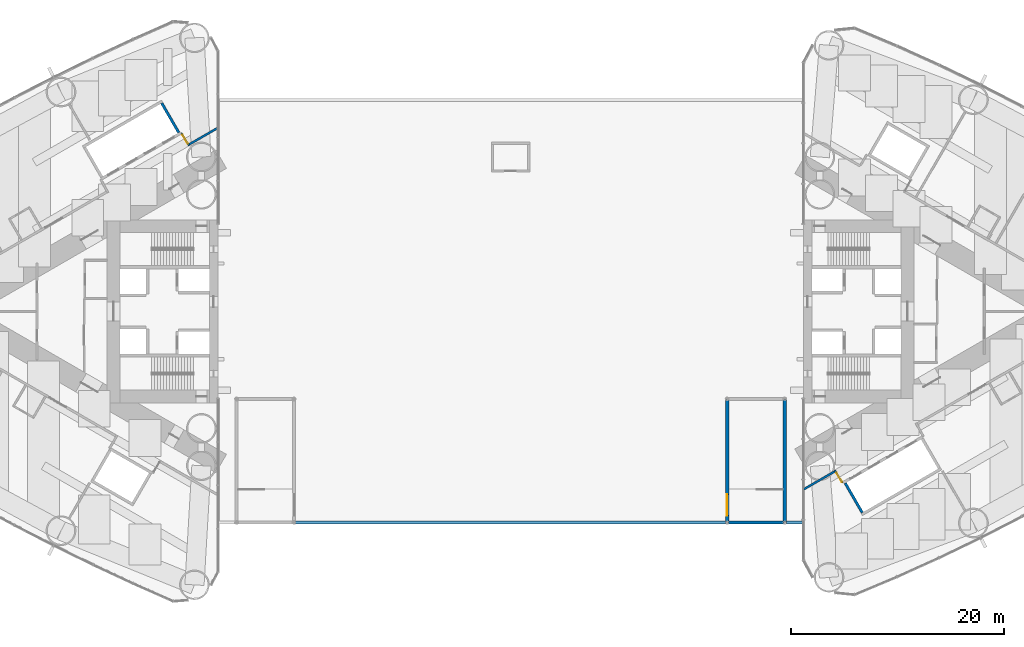
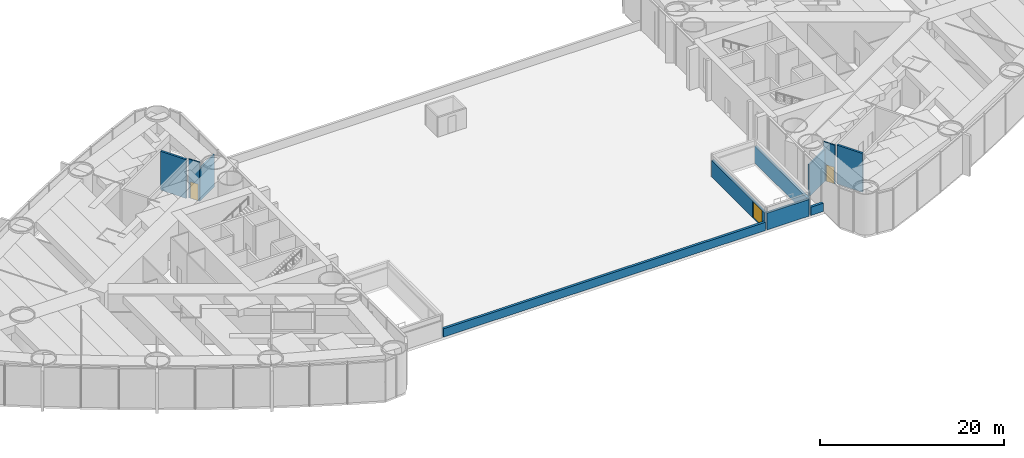
# One storey, part 18 of 23: 11 walls, 3 doors, 3 openings.
"""IFC4 building model written with IfcOpenShell, lengths in metres."""

from ifc_helpers import new_model, si_unit, direction, frame, frame_2d, origin, place, context, subcontext, project, spatial, rectangle, extrude, material, layer, layer_set, type_object, element, fill, save


model = new_model("IFC4")

# Units and contexts
model_context = context("Model", 3, precision=1e-05, world=origin(), true_north=direction((0.0, 1.0)))
body_context = subcontext(model_context, "Body", "Model", "MODEL_VIEW")
ifc_project = project(units=[si_unit("LENGTHUNIT", "METRE"), si_unit("AREAUNIT", "SQUARE_METRE"), si_unit("VOLUMEUNIT", "CUBIC_METRE"), si_unit("PLANEANGLEUNIT", "RADIAN"), si_unit("MASSUNIT", "GRAM", prefix="KILO")], contexts=[model_context])

# Site, building, storey
site_placement = place(None, origin())
site = spatial("IfcSite", under=ifc_project, at=site_placement, CompositionType="ELEMENT")
building_placement = place(site_placement, origin())
building = spatial("IfcBuilding", under=site, at=building_placement, Name="Lancet Gate Hotel", CompositionType="ELEMENT")
storey_placement = place(building_placement, frame((0.0, 0.0, 12.60009765625)))
storey = spatial("IfcBuildingStorey", under=building, at=storey_placement, Name="L02", CompositionType="ELEMENT", Elevation=12.60009765625)

# Walls
ifc_material_1 = material(Name="Gypsum board partition")
ifc_layer_1 = layer(ifc_material_1, 0.199951171875)
ifc_layer_set_1 = layer_set([ifc_layer_1], Name="Corridor wall 200")
wall_type_1 = type_object("IfcWallType", Name="Corridor wall 200", PredefinedType="PARTITIONING", material=ifc_layer_set_1)
wall_1_placement = place(storey_placement, frame((-27.5, 17.244384765625, 0.0), z_axis=(0.0, 0.0, 1.0), x_axis=(-0.866039316896, -0.499975901009, 0.0)))
element("IfcWall", 1, at=wall_1_placement, inside=storey, type_object=wall_type_1, Name="T1 corridor wall 200 L02", PredefinedType="PARTITIONING", context=body_context, shape_type="SweptSolid", body=[
    extrude(rectangle(XDim=3.168701171875, YDim=0.199951171875, at=frame_2d((1.58447265625, 0.0))), origin(), (0.0, 0.0, 1.0), 4.25),
])
wall_2_placement = place(storey_placement, frame((27.5, -16.744384765625, 0.0), z_axis=(0.0, 0.0, 1.0), x_axis=(0.866034395887, 0.499984424899, 0.0)))
element("IfcWall", 2, at=wall_2_placement, inside=storey, type_object=wall_type_1, Name="T2 corridor wall 200 L02", PredefinedType="PARTITIONING", context=body_context, shape_type="SweptSolid", body=[
    extrude(rectangle(XDim=3.46875, YDim=0.199951171875, at=frame_2d((1.734375, 0.0))), origin(), (0.0, 0.0, 1.0), 4.25),
])
ifc_material_2 = material(Name="Gypsum board partition")
ifc_layer_2 = layer(ifc_material_2, 0.25)
ifc_layer_set_2 = layer_set([ifc_layer_2], Name="Lift shaft partition 250")
wall_type_2 = type_object("IfcWallType", Name="Lift shaft partition 250", PredefinedType="PARTITIONING", material=ifc_layer_set_2)
for number, where, z_axis, x_axis, name in (
    (3, (-31.18115234375, 16.79296875, 0.0), (0.0, 0.0, 1.0), (-0.499929347863, 0.866066190972, 0.0), "T1 lift shaft wall LR L02"),
    (4, (31.441162109375, -16.14306640625, 0.0), (0.0, 0.0, 1.0), (0.499929347863, -0.866066190972, 0.0), "T2 lift shaft wall LR L02"),
):
    element("IfcWall", number, at=place(storey_placement, frame(where, z_axis=z_axis, x_axis=x_axis)), inside=storey, type_object=wall_type_2, Name=name, PredefinedType="PARTITIONING", context=body_context, shape_type="SweptSolid", body=[
        extrude(rectangle(XDim=3.20068359375, YDim=0.25, at=frame_2d((1.600341796875, 0.0))), origin(), (0.0, 0.0, 1.0), 5.14990234375),
    ])
ifc_material_3 = material(Name="Concrete C40/50", Category="concrete")
ifc_layer_3 = layer(ifc_material_3, 0.300048828125)
ifc_layer_set_3 = layer_set([ifc_layer_3], Name="Parapet wall 300")
wall_type_3 = type_object("IfcWallType", Name="Parapet wall 300", PredefinedType="PARAPET", material=ifc_layer_set_3)
wall_3_placement = place(storey_placement, frame((-20.199951171875, -19.85009765625, 0.0), z_axis=(0.0, 0.0, 1.0), x_axis=(1.0, 0.0, 0.0)))
element("IfcWall", 5, at=wall_3_placement, inside=storey, type_object=wall_type_3, Name="Podium roof parapet S2", PredefinedType="PARAPET", context=body_context, shape_type="SweptSolid", body=[
    extrude(rectangle(XDim=40.39990234375, YDim=0.300048828125, at=frame_2d((20.199951171875, 0.0))), origin(), (0.0, 0.0, 1.0), 1.099853515625),
])
wall_4_placement = place(storey_placement, frame((25.89990234375, -19.85009765625, 0.0), z_axis=(0.0, 0.0, 1.0), x_axis=(1.0, 0.0, 0.0)))
element("IfcWall", 6, at=wall_4_placement, inside=storey, type_object=wall_type_3, Name="Podium roof parapet S3", PredefinedType="PARAPET", context=body_context, shape_type="SweptSolid", body=[
    extrude(rectangle(XDim=1.550048828125, YDim=0.300048828125, at=frame_2d((0.77490234375, 0.0))), origin(), (0.0, 0.0, 1.0), 1.099853515625),
])
ifc_material_4 = material(Name="Dense concrete blockwork", Category="masonry")
ifc_layer_4 = layer(ifc_material_4, 0.300048828125)
ifc_layer_set_4 = layer_set([ifc_layer_4], Name="Podium stair enclosure wall 300")
wall_type_4 = type_object("IfcWallType", Name="Podium stair enclosure wall 300", PredefinedType="SOLIDWALL", material=ifc_layer_set_4)
wall_5_placement = place(storey_placement, frame((20.4111328125, -19.85009765625, 0.0), z_axis=(0.0, 0.0, 1.0), x_axis=(1.0, 0.0, 0.0)))
element("IfcWall", 7, at=wall_5_placement, inside=storey, type_object=wall_type_4, Name="Podium stair PS5 headhouse wall outer L02", PredefinedType="SOLIDWALL", context=body_context, shape_type="SweptSolid", body=[
    extrude(rectangle(XDim=5.27783203125, YDim=0.300048828125, at=frame_2d((2.638916015625, 0.0))), origin(), (0.0, 0.0, 1.0), 2.22998046875),
])

# Wall, opening, door
wall_6_placement = place(storey_placement, frame((20.35009765625, -8.291015625, 0.0), z_axis=(0.0, 0.0, 1.0), x_axis=(0.0, -1.0, 0.0)))
wall_6 = element("IfcWall", 8, at=wall_6_placement, inside=storey, type_object=wall_type_4, Name="Podium stair PS5 headhouse wall near L02", PredefinedType="SOLIDWALL", context=body_context, shape_type="SweptSolid", body=[
    extrude(rectangle(XDim=11.498046875, YDim=0.300048828125, at=frame_2d((5.7490234375, 0.0))), origin(), (0.0, 0.0, 1.0), 2.22998046875),
])
opening_1_placement = place(wall_6_placement, frame((8.908935546875, 0.0, 0.0)))
opening_1 = element("IfcOpeningElement", 9, at=opening_1_placement, cuts=wall_6, Name="Opening POD-L02-PS5", PredefinedType="OPENING", context=body_context, shape_type="SweptSolid", body=[
    extrude(rectangle(XDim=2.0, YDim=2.199951171875, at=frame_2d((1.0, 1.10009765625))), frame((0.0, 0.159912109375, 0.0), z_axis=(0.0, -1.0, 0.0), x_axis=(1.0, 0.0, 0.0)), (0.0, 0.0, 1.0), 0.320068359375),
])
ifc_material_5 = material(Name="Timber door set", Category="wood")
door_type_1 = type_object("IfcDoorType", Name="Stair double door 2000", OperationType="DOUBLE_DOOR_SINGLE_SWING", PredefinedType="DOOR", material=ifc_material_5)
door_1_placement = place(opening_1_placement, origin())
door_1 = element("IfcDoor", 10, at=door_1_placement, inside=storey, type_object=door_type_1, Name="POD-L02-PS5", OperationType="DOUBLE_DOOR_SINGLE_SWING", OverallHeight=2.199951171875, OverallWidth=2.0, PredefinedType="DOOR", context=body_context, shape_type="SweptSolid", body=[
    extrude(rectangle(XDim=2.0, YDim=2.199951171875, at=frame_2d((1.0, 1.10009765625))), frame((0.0, 0.02490234375, 0.0), z_axis=(0.0, -1.0, 0.0), x_axis=(1.0, 0.0, 0.0)), (0.0, 0.0, 1.0), 0.050048828125),
])
fill(opening_1, door_1)

# Wall
wall_7_placement = place(storey_placement, frame((25.75, -8.291015625, 0.0), z_axis=(0.0, 0.0, 1.0), x_axis=(0.0, -1.0, 0.0)))
element("IfcWall", 11, at=wall_7_placement, inside=storey, type_object=wall_type_4, Name="Podium stair PS5 headhouse wall far L02", PredefinedType="SOLIDWALL", context=body_context, shape_type="SweptSolid", body=[
    extrude(rectangle(XDim=11.498046875, YDim=0.300048828125, at=frame_2d((5.7490234375, 0.0))), origin(), (0.0, 0.0, 1.0), 2.22998046875),
])

# Wall, opening, door
ifc_material_6 = material(Name="Gypsum board partition")
ifc_layer_5 = layer(ifc_material_6, 0.14990234375)
ifc_layer_set_5 = layer_set([ifc_layer_5], Name="Service room wall 150")
wall_type_5 = type_object("IfcWallType", Name="Service room wall 150", PredefinedType="PARTITIONING", material=ifc_layer_set_5)
wall_8_placement = place(storey_placement, frame((-30.207275390625, 15.56591796875, 0.0), z_axis=(0.0, 0.0, 1.0), x_axis=(-0.518374889333, 0.855153479855, 0.0)))
wall_8 = element("IfcWall", 12, at=wall_8_placement, inside=storey, type_object=wall_type_5, Name="T1 service room wall 150 L02", PredefinedType="PARTITIONING", context=body_context, shape_type="SweptSolid", body=[
    extrude(rectangle(XDim=1.405029296875, YDim=0.14990234375, at=frame_2d((0.70263671875, 0.0))), origin(), (0.0, 0.0, 1.0), 5.14990234375),
])
opening_2_placement = place(wall_8_placement, frame((0.202392578125, 0.0, 0.0)))
opening_2 = element("IfcOpeningElement", 13, at=opening_2_placement, cuts=wall_8, Name="Opening T1-L02-P201", PredefinedType="OPENING", context=body_context, shape_type="SweptSolid", body=[
    extrude(rectangle(XDim=1.0, YDim=2.199951171875, at=frame_2d((0.5, 1.10009765625))), frame((0.0, 0.0849609375, 0.0), z_axis=(0.0, -1.0, 0.0), x_axis=(1.0, 0.0, 0.0)), (0.0, 0.0, 1.0), 0.169921875),
])
ifc_material_7 = material(Name="Timber door set", Category="wood")
door_type_2 = type_object("IfcDoorType", Name="Service door 1000", OperationType="SINGLE_SWING_LEFT", PredefinedType="DOOR", material=ifc_material_7)
door_2_placement = place(opening_2_placement, origin())
door_2 = element("IfcDoor", 14, at=door_2_placement, inside=storey, type_object=door_type_2, Name="T1-L02-P201", OperationType="SINGLE_SWING_LEFT", OverallHeight=2.199951171875, OverallWidth=1.0, PredefinedType="DOOR", context=body_context, shape_type="SweptSolid", body=[
    extrude(rectangle(XDim=1.0, YDim=2.199951171875, at=frame_2d((0.5, 1.10009765625))), frame((0.0, 0.02490234375, 0.0), z_axis=(0.0, -1.0, 0.0), x_axis=(1.0, 0.0, 0.0)), (0.0, 0.0, 1.0), 0.050048828125),
])
fill(opening_2, door_2)

wall_9_placement = place(storey_placement, frame((30.46728515625, -14.915771484375, 0.0), z_axis=(0.0, 0.0, 1.0), x_axis=(0.518297865337, -0.855200165334, 0.0)))
wall_9 = element("IfcWall", 15, at=wall_9_placement, inside=storey, type_object=wall_type_5, Name="T2 service room wall 150 L02", PredefinedType="PARTITIONING", context=body_context, shape_type="SweptSolid", body=[
    extrude(rectangle(XDim=1.405029296875, YDim=0.14990234375, at=frame_2d((0.70263671875, 0.0))), origin(), (0.0, 0.0, 1.0), 5.14990234375),
])
opening_3_placement = place(wall_9_placement, frame((0.302978515625, 0.0, 0.0)))
opening_3 = element("IfcOpeningElement", 16, at=opening_3_placement, cuts=wall_9, Name="Opening T2-L02-P201", PredefinedType="OPENING", context=body_context, shape_type="SweptSolid", body=[
    extrude(rectangle(XDim=1.0, YDim=2.199951171875, at=frame_2d((0.5, 1.10009765625))), frame((0.0, 0.0849609375, 0.0), z_axis=(0.0, -1.0, 0.0), x_axis=(1.0, 0.0, 0.0)), (0.0, 0.0, 1.0), 0.169921875),
])
door_3_placement = place(opening_3_placement, origin())
door_3 = element("IfcDoor", 17, at=door_3_placement, inside=storey, type_object=door_type_2, Name="T2-L02-P201", OperationType="SINGLE_SWING_LEFT", OverallHeight=2.199951171875, OverallWidth=1.0, PredefinedType="DOOR", context=body_context, shape_type="SweptSolid", body=[
    extrude(rectangle(XDim=1.0, YDim=2.199951171875, at=frame_2d((0.5, 1.10009765625))), frame((0.0, 0.02490234375, 0.0), z_axis=(0.0, -1.0, 0.0), x_axis=(1.0, 0.0, 0.0)), (0.0, 0.0, 1.0), 0.050048828125),
])
fill(opening_3, door_3)

save(model, "model.ifc")
